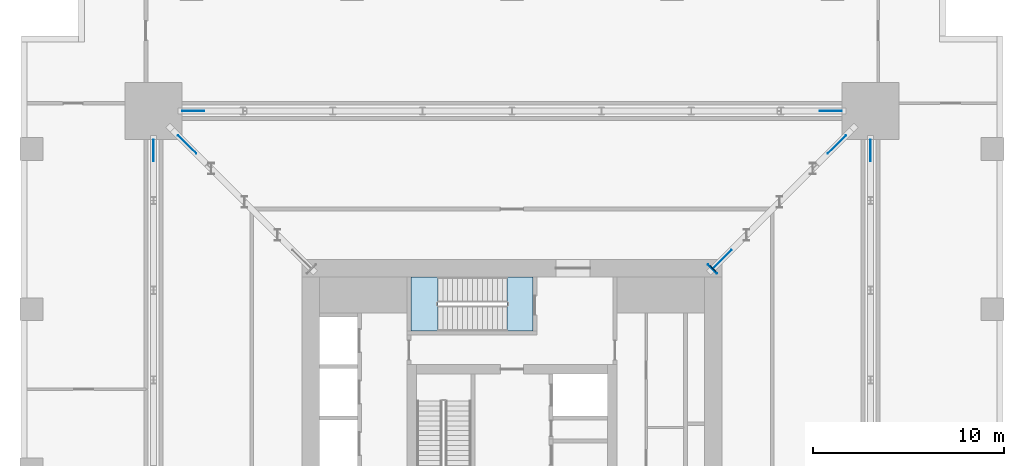
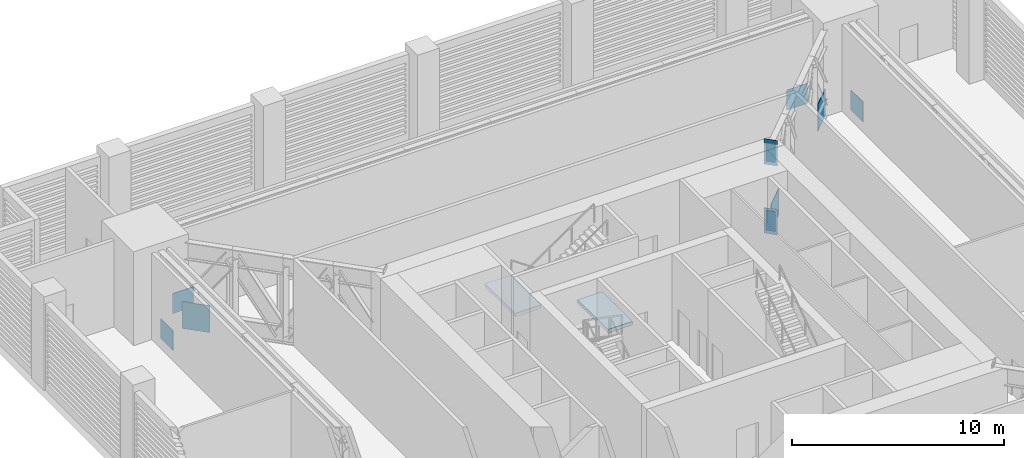
# One storey, part 8 of 17: 11 plates, 2 slabs, 1 element without a shape of its own.
"""IFC4 building model written with IfcOpenShell, lengths in metres."""

from ifc_helpers import new_model, si_unit, direction, frame, origin, origin_2d, place, context, subcontext, project, spatial, polyline, rectangle, outline, extrude, material, layer, layer_set, type_object, element, aggregate, save


model = new_model("IFC4")

# Units and contexts
model_context = context("Model", 3, precision=1e-05, world=origin(), true_north=direction((0.0, 1.0)))
body_context = subcontext(model_context, "Body", "Model", "MODEL_VIEW")
ifc_project = project(units=[si_unit("LENGTHUNIT", "METRE"), si_unit("AREAUNIT", "SQUARE_METRE"), si_unit("VOLUMEUNIT", "CUBIC_METRE"), si_unit("PLANEANGLEUNIT", "RADIAN"), si_unit("MASSUNIT", "GRAM", prefix="KILO")], contexts=[model_context])

# Site, building, storey
site_placement = place(None, origin())
site = spatial("IfcSite", under=ifc_project, at=site_placement, CompositionType="ELEMENT")
building_placement = place(site_placement, origin())
building = spatial("IfcBuilding", under=site, at=building_placement, Name="Khepri Terraces", CompositionType="ELEMENT")
storey_placement = place(building_placement, frame((0.0, 0.0, 73.800048828125)))
storey = spatial("IfcBuildingStorey", under=building, at=storey_placement, Name="L17", CompositionType="ELEMENT", Elevation=73.800048828125)

# Plates
ifc_material_1 = material(Name="Steel S355", Category="steel")
ifc_layer_1 = layer(ifc_material_1, 0.034912109375, Name="Steel S355", Category="steel")
ifc_layer_set_1 = layer_set([ifc_layer_1], Name="Steel S355")
plate_type_1 = type_object("IfcPlateType", Name="Cast-in plate 1450x650x35", PredefinedType="USERDEFINED", material=ifc_layer_set_1)
for number, where, z_axis, x_axis, name in (
    (1, (10.50927734375, 10.50927734375, -0.22119140625), (0.0, 0.0, 1.0), (0.707106781187, 0.707106781187, 0.0), "CAST-IN PLATE OT-17-EN BOT wall A"),
    (2, (10.50927734375, 10.50927734375, 3.7509765625), (0.0, 0.0, 1.0), (0.707106781187, 0.707106781187, 0.0), "CAST-IN PLATE OT-17-EN TOP wall A"),
):
    element("IfcPlate", number, at=place(storey_placement, frame(where, z_axis=z_axis, x_axis=x_axis)), inside=storey, type_object=plate_type_1, Name=name, ObjectType="CAST-IN PLATE", PredefinedType="USERDEFINED", context=body_context, shape_type="SweptSolid", body=[
        extrude(rectangle(XDim=0.034912109375, YDim=0.64990234375, at=origin_2d()), origin(), (0.0, 0.0, 1.0), 1.449951171875),
    ])
ifc_layer_2 = layer(ifc_material_1, 0.0400390625, Name="Steel S355", Category="steel")
ifc_layer_set_2 = layer_set([ifc_layer_2], Name="Steel S355")
plate_type_2 = type_object("IfcPlateType", Name="End plate 1150x450x40", PredefinedType="USERDEFINED", material=ifc_layer_set_2)
for number, where, z_axis, x_axis, name in (
    (3, (10.535888671875, 10.535888671875, -0.071044921875), (0.0, 0.0, 1.0), (0.707106781187, 0.707106781187, 0.0), "END PLATE OT-17-EN BOT end A"),
    (4, (10.535888671875, 10.535888671875, 3.90087890625), (0.0, 0.0, 1.0), (0.707106781187, 0.707106781187, 0.0), "END PLATE OT-17-EN TOP end A"),
):
    element("IfcPlate", number, at=place(storey_placement, frame(where, z_axis=z_axis, x_axis=x_axis)), inside=storey, type_object=plate_type_2, Name=name, ObjectType="END PLATE", PredefinedType="USERDEFINED", context=body_context, shape_type="SweptSolid", body=[
        extrude(rectangle(XDim=0.0400390625, YDim=0.449951171875, at=origin_2d()), origin(), (0.0, 0.0, 1.0), 1.14990234375),
    ])
ifc_layer_3 = layer(ifc_material_1, 0.030029296875, Name="Steel S355", Category="steel")
ifc_layer_set_3 = layer_set([ifc_layer_3], Name="Steel S355")
plate_type_3 = type_object("IfcPlateType", Name="Gusset plate 1150x1150x30", PredefinedType="USERDEFINED", material=ifc_layer_set_3)
for number, where, z_axis, x_axis, name in (
    (5, (18.800048828125, 16.72509765625, -0.10009765625), (0.0, 0.0, 1.0), (0.0, 1.0, 0.0), "GUSSET PLATE BT-17-E column node B"),
    (6, (16.72509765625, 18.800048828125, -0.10009765625), (0.0, 0.0, 1.0), (-1.0, 0.0, 0.0), "GUSSET PLATE BT-17-N column node A"),
    (7, (-16.72509765625, 18.800048828125, -0.10009765625), (0.0, 0.0, 1.0), (-1.0, 0.0, 0.0), "GUSSET PLATE BT-17-N column node B"),
    (8, (-18.800048828125, 16.72509765625, -0.10009765625), (0.0, 0.0, 1.0), (0.0, -1.0, 0.0), "GUSSET PLATE BT-17-W column node A"),
):
    element("IfcPlate", number, at=place(storey_placement, frame(where, z_axis=z_axis, x_axis=x_axis)), inside=storey, type_object=plate_type_3, Name=name, ObjectType="GUSSET PLATE", PredefinedType="USERDEFINED", context=body_context, shape_type="SweptSolid", body=[
        extrude(rectangle(XDim=1.14990234375, YDim=0.030029296875, at=origin_2d()), origin(), (0.0, 0.0, 1.0), 1.14990234375),
    ])
ifc_layer_4 = layer(ifc_material_1, 0.034912109375, Name="Steel S355", Category="steel")
ifc_layer_set_4 = layer_set([ifc_layer_4], Name="Steel S355")
plate_type_4 = type_object("IfcPlateType", Name="Gusset plate 1350x1550x35", PredefinedType="USERDEFINED", material=ifc_layer_set_4)
for number, where, z_axis, x_axis, name in (
    (9, (11.02734375, 11.02734375, -0.10009765625), (0.0, 0.0, 1.0), (0.707106781187, 0.707106781187, 0.0), "GUSSET PLATE OT-17-EN node A"),
    (10, (17.034912109375, 17.034912109375, -0.10009765625), (0.0, 0.0, 1.0), (0.707106781187, 0.707106781187, 0.0), "GUSSET PLATE OT-17-EN column node B"),
    (11, (-17.034912109375, 17.034912109375, -0.10009765625), (0.0, 0.0, 1.0), (-0.707106781187, 0.707106781187, 0.0), "GUSSET PLATE OT-17-WN column node B"),
):
    element("IfcPlate", number, at=place(storey_placement, frame(where, z_axis=z_axis, x_axis=x_axis)), inside=storey, type_object=plate_type_4, Name=name, ObjectType="GUSSET PLATE", PredefinedType="USERDEFINED", context=body_context, shape_type="SweptSolid", body=[
        extrude(rectangle(XDim=1.35009765625, YDim=0.034912109375, at=origin_2d()), origin(), (0.0, 0.0, 1.0), 1.550048828125),
    ])

# Stair, slabs
ifc_material_2 = material(Name="Concrete C40/50", Category="concrete")
stair_type = type_object("IfcStairType", Name="STAIR-RC-30R", PredefinedType="HALF_TURN_STAIR", material=ifc_material_2)
stair_placement = place(storey_placement, origin())
stair = element("IfcStair", 12, at=stair_placement, inside=storey, type_object=stair_type, Name="L17 Exit Stair ST-3", PredefinedType="HALF_TURN_STAIR")
ifc_layer_5 = layer(ifc_material_2, 0.199951171875, Name="Concrete C40/50", Category="concrete")
ifc_layer_set_5 = layer_set([ifc_layer_5], Name="Concrete C40/50")
slab_type = type_object("IfcSlabType", Name="SLB-CORE-LANDING", PredefinedType="LANDING", material=ifc_layer_set_5)
slab_1_placement = place(storey_placement, frame((0.0, 0.0, -0.199951171875)))
slab_1 = element("IfcSlab", 13, at=slab_1_placement, type_object=slab_type, Name="ST-3 landing 1", PredefinedType="LANDING", context=body_context, shape_type="SweptSolid", body=[
    extrude(outline(polyline([(1.10009765625, 10.10009765625), (-0.25, 10.10009765625), (-0.25, 7.25), (1.10009765625, 7.25), (1.10009765625, 10.10009765625)])), origin(), (0.0, 0.0, 1.0), 0.199951171875),
])
slab_2_placement = place(storey_placement, frame((0.0, 0.0, 2.5)))
slab_2 = element("IfcSlab", 14, at=slab_2_placement, type_object=slab_type, Name="ST-3 landing 2", PredefinedType="LANDING", context=body_context, shape_type="SweptSolid", body=[
    extrude(outline(polyline([(-3.889892578125, 10.10009765625), (-5.300048828125, 10.10009765625), (-5.300048828125, 7.25), (-3.889892578125, 7.25), (-3.889892578125, 10.10009765625)])), origin(), (0.0, 0.0, 1.0), 0.199951171875),
])
aggregate(stair, [slab_1, slab_2])

save(model, "model.ifc")
